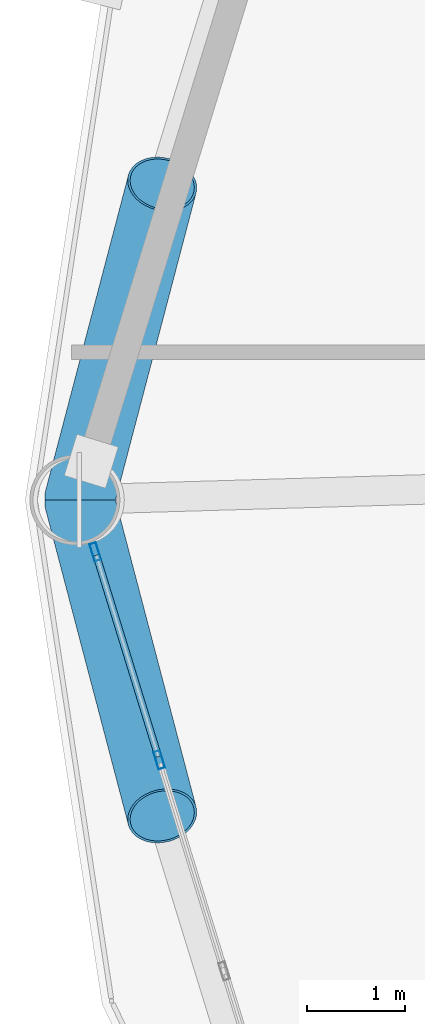
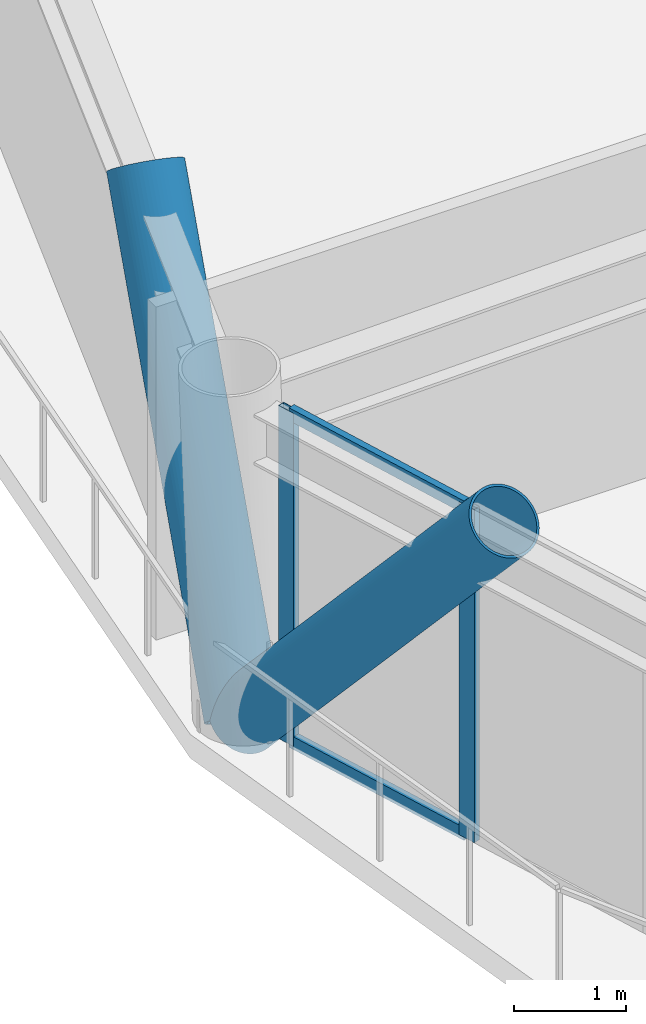
# One storey, part 9 of 26: 6 members, 1 element without a shape of its own.
"""IFC4 building model written with IfcOpenShell, lengths in metres."""

from ifc_helpers import new_model, si_unit, direction, frame, origin, origin_2d, place, context, subcontext, project, spatial, hollow_rectangle, hollow_circle, extrude, material, layer, layer_set, material_profile, profile_set, type_object, element, aggregate, save


model = new_model("IFC4")

# Units and contexts
model_context = context("Model", 3, precision=1e-05, world=origin(), true_north=direction((0.0, 1.0)))
body_context = subcontext(model_context, "Body", "Model", "MODEL_VIEW")
ifc_project = project(units=[si_unit("LENGTHUNIT", "METRE"), si_unit("AREAUNIT", "SQUARE_METRE"), si_unit("VOLUMEUNIT", "CUBIC_METRE"), si_unit("PLANEANGLEUNIT", "RADIAN"), si_unit("MASSUNIT", "GRAM", prefix="KILO")], contexts=[model_context])

# Site, building, storey
site_placement = place(None, origin())
site = spatial("IfcSite", under=ifc_project, at=site_placement, CompositionType="ELEMENT")
building_placement = place(site_placement, origin())
building = spatial("IfcBuilding", under=site, at=building_placement, Name="Varnakorn Sky Granary", CompositionType="ELEMENT")
storey_placement = place(building_placement, frame((0.0, 0.0, 51.0)))
storey = spatial("IfcBuildingStorey", under=building, at=storey_placement, Name="L12", CompositionType="ELEMENT", Elevation=51.0)

# Curtain wall, members
ifc_material_1 = material(Name="Anodised Bronze Aluminium Alloy 6063-T6", Category="aluminium")
ifc_layer = layer(ifc_material_1, 0.18994140625, Name="Anodised Bronze Aluminium Alloy 6063-T6")
ifc_layer_set = layer_set([ifc_layer], Name="Anodised Bronze Aluminium Alloy 6063-T6")
curtain_wall_type = type_object("IfcCurtainWallType", Name="CW-FRM-1", PredefinedType="USERDEFINED", material=ifc_layer_set)
curtain_wall_placement = place(storey_placement, origin())
curtain_wall = element("IfcCurtainWall", 1, at=curtain_wall_placement, inside=storey, type_object=curtain_wall_type, Name="Unitised Curtain Wall CW3 CW-L12-B07", ObjectType="CURTAIN WALL", PredefinedType="USERDEFINED")
ifc_material_profile_1 = material_profile(ifc_material_1, hollow_rectangle(XDim=0.070068359375, YDim=0.18505859375, WallThickness=0.00390625, at=origin_2d()), Name="ALU MULL 70x185")
ifc_profile_set_1 = profile_set([ifc_material_profile_1], Name="Anodised Bronze Aluminium Alloy 6063-T6")
member_type_1 = type_object("IfcMemberType", Name="CW-FRM-1-MULL", PredefinedType="MULLION", material=ifc_profile_set_1)
member_1_placement = place(storey_placement, frame((-21.795654296875, -2.639404296875, 0.0), z_axis=(0.0, 0.0, 1.0), x_axis=(-0.955767929805, -0.294121852906, 0.0)))
member_1 = element("IfcMember", 2, at=member_1_placement, type_object=member_type_1, Name="CW3 mullion 4", PredefinedType="MULLION", context=body_context, shape_type="SweptSolid", body=[
    extrude(hollow_rectangle(XDim=0.070068359375, YDim=0.18505859375, WallThickness=0.00390625, at=origin_2d()), origin(), (0.0, 0.0, 1.0), 3.639892578125),
])
member_2_placement = place(storey_placement, frame((-22.445556640625, -0.527587890625, 0.0), z_axis=(0.0, 0.0, 1.0), x_axis=(-0.955767929805, -0.294121852906, 0.0)))
member_2 = element("IfcMember", 3, at=member_2_placement, type_object=member_type_1, Name="CW3 mullion 5", PredefinedType="MULLION", context=body_context, shape_type="SweptSolid", body=[
    extrude(hollow_rectangle(XDim=0.070068359375, YDim=0.18505859375, WallThickness=0.00390625, at=origin_2d()), origin(), (0.0, 0.0, 1.0), 3.639892578125),
])
ifc_material_profile_2 = material_profile(ifc_material_1, hollow_rectangle(XDim=0.070068359375, YDim=0.139892578125, WallThickness=0.00341796875, at=origin_2d()), Name="ALU TRAN 70x140")
ifc_profile_set_2 = profile_set([ifc_material_profile_2], Name="Anodised Bronze Aluminium Alloy 6063-T6")
member_type_2 = type_object("IfcMemberType", Name="CW-FRM-1-TRAN", PredefinedType="USERDEFINED", material=ifc_profile_set_2)
member_3_placement = place(storey_placement, frame((-21.80615234375, -2.60595703125, 0.034912109375), z_axis=(-0.294061793096, 0.955786410157, 0.0), x_axis=(-0.955786410157, -0.294061793096, 0.0)))
member_3 = element("IfcMember", 4, at=member_3_placement, type_object=member_type_2, Name="CW3 transom 4.1", ObjectType="TRANSOM", PredefinedType="USERDEFINED", context=body_context, shape_type="SweptSolid", body=[
    extrude(hollow_rectangle(XDim=0.070068359375, YDim=0.139892578125, WallThickness=0.00341796875, at=origin_2d()), origin(), (0.0, 0.0, 1.0), 2.139404296875),
])
member_4_placement = place(storey_placement, frame((-21.80615234375, -2.60595703125, 3.60498046875), z_axis=(-0.294061793096, 0.955786410157, 0.0), x_axis=(-0.955786410157, -0.294061793096, 0.0)))
member_4 = element("IfcMember", 5, at=member_4_placement, type_object=member_type_2, Name="CW3 transom 4.2", ObjectType="TRANSOM", PredefinedType="USERDEFINED", context=body_context, shape_type="SweptSolid", body=[
    extrude(hollow_rectangle(XDim=0.070068359375, YDim=0.139892578125, WallThickness=0.00341796875, at=origin_2d()), origin(), (0.0, 0.0, 1.0), 2.139404296875),
])
aggregate(curtain_wall, [member_1, member_2, member_3, member_4])

# Members
ifc_material_2 = material(Name="Steel S460M", Category="steel")
ifc_material_profile_3 = material_profile(ifc_material_2, hollow_circle(Radius=0.35546875, WallThickness=0.02490234375, at=origin_2d()), Name="CHS 711x25")
ifc_profile_set_3 = profile_set([ifc_material_profile_3], Name="Steel S460M")
member_type_3 = type_object("IfcMemberType", Name="MB-DIAG-T0", PredefinedType="BRACE", material=ifc_profile_set_3)
for number, where, z_axis, x_axis, name in (
    (6, (-22.60791015625, 0.0, 0.0), (0.167177482056, 0.637058175317, 0.752468318772), (-0.967249713632, 0.253826695756, 0.0), "Perimeter CHS Diagrid Brace DG06 L12"),
    (7, (-22.60791015625, 0.0, 0.0), (0.167177482056, -0.637058175317, 0.752468318772), (0.967249713632, 0.253826695756, 0.0), "Perimeter CHS Diagrid Brace DG07 L12"),
):
    element("IfcMember", number, at=place(storey_placement, frame(where, z_axis=z_axis, x_axis=x_axis)), inside=storey, type_object=member_type_3, Name=name, PredefinedType="BRACE", context=body_context, shape_type="SweptSolid", body=[
        extrude(hollow_circle(Radius=0.35546875, WallThickness=0.02490234375, at=origin_2d()), origin(), (0.0, 0.0, 1.0), 5.036865234375),
    ])

save(model, "model.ifc")
